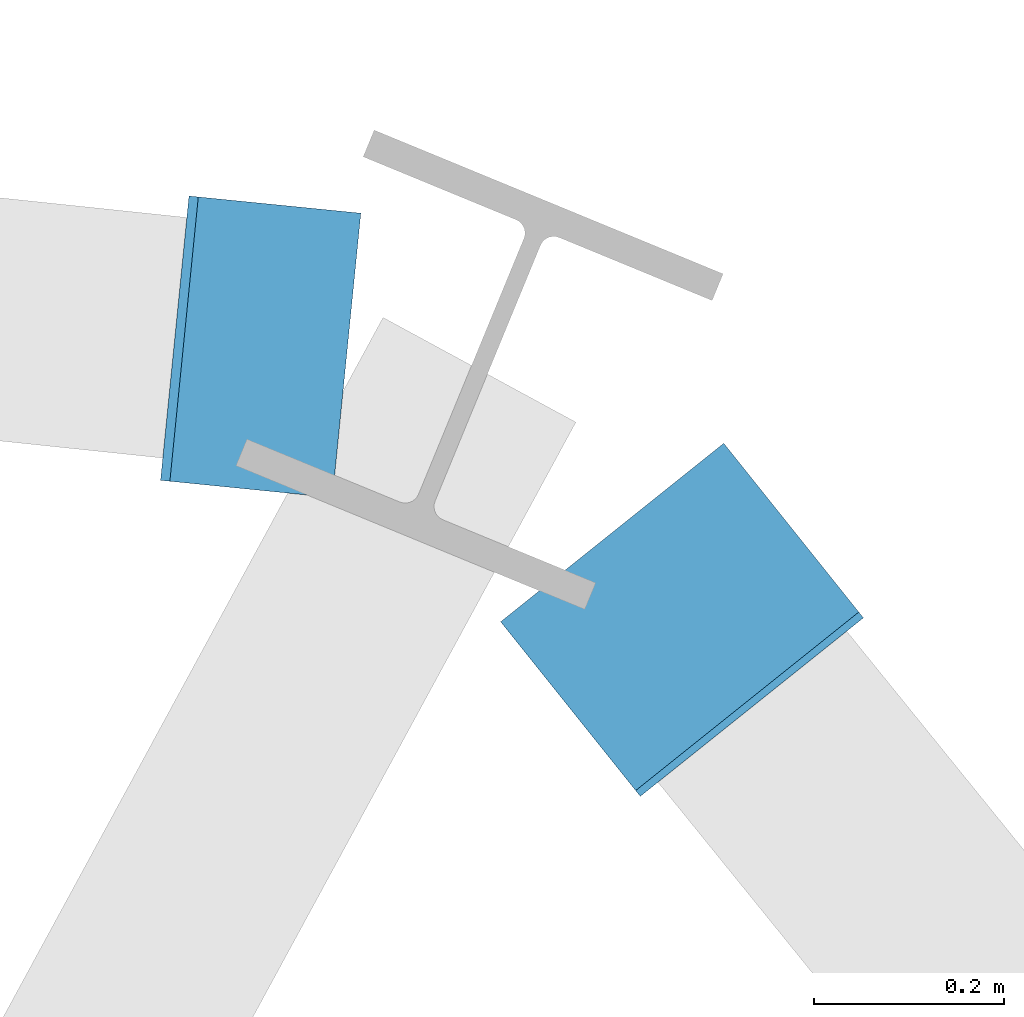
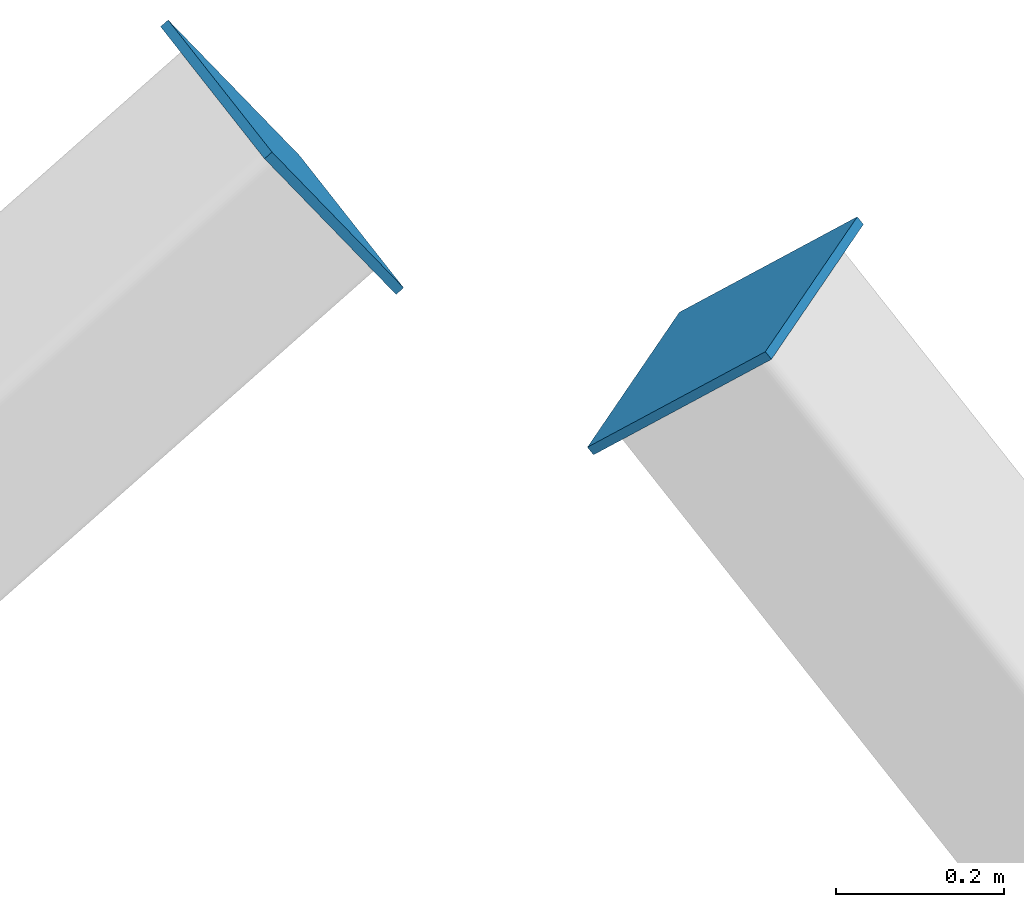
# One storey, part 14 of 15: 2 discrete accessories.
"""IFC4 building model written with IfcOpenShell, lengths in metres."""

from ifc_helpers import new_model, si_unit, direction, frame, origin, origin_2d, place, context, subcontext, project, spatial, rectangle, extrude, material, layer, layer_set, type_object, element, save


model = new_model("IFC4")

# Units and contexts
model_context = context("Model", 3, precision=1e-05, world=origin(), true_north=direction((0.0, 1.0)))
body_context = subcontext(model_context, "Body", "Model", "MODEL_VIEW")
ifc_project = project(units=[si_unit("LENGTHUNIT", "METRE"), si_unit("AREAUNIT", "SQUARE_METRE"), si_unit("VOLUMEUNIT", "CUBIC_METRE"), si_unit("PLANEANGLEUNIT", "RADIAN"), si_unit("MASSUNIT", "GRAM", prefix="KILO")], contexts=[model_context])

# Site, building, storey
site_placement = place(None, origin())
site = spatial("IfcSite", under=ifc_project, at=site_placement, CompositionType="ELEMENT")
building_placement = place(site_placement, origin())
building = spatial("IfcBuilding", under=site, at=building_placement, Name="Millrace Tower", CompositionType="ELEMENT")
storey_placement = place(building_placement, frame((0.0, 0.0, 352.10009765625)))
storey = spatial("IfcBuildingStorey", under=building, at=storey_placement, Name="L81", CompositionType="ELEMENT", Elevation=352.10009765625)

# Discrete accessories
ifc_material = material(Name="Steel ASTM A36", Category="steel")
ifc_layer = layer(ifc_material, 0.011962890625)
ifc_layer_set = layer_set([ifc_layer], Name="Steel ASTM A36")
discrete_accessory_type = type_object("IfcDiscreteAccessoryType", Name="Hollow section end plate 300", PredefinedType="BRACKET", material=ifc_layer_set)
for number, where, z_axis, x_axis, name in (
    (1, (22.175048828125, 26.68359375, 9.193603515625), (-0.408759559657, 0.510949449571, 0.756205185365), (-0.780868809443, -0.624695047554, 0.0), "Exoskeleton brace head end plate CROWN-L81-06"),
    (2, (21.725341796875, 26.973876953125, 9.4345703125), (0.816496580928, -0.081649658093, 0.571547606649), (0.099503719021, 0.99503719021, 0.0), "Exoskeleton brace head end plate CROWN-L81-07"),
):
    element("IfcDiscreteAccessory", number, at=place(storey_placement, frame(where, z_axis=z_axis, x_axis=x_axis)), inside=storey, type_object=discrete_accessory_type, Name=name, PredefinedType="BRACKET", context=body_context, shape_type="SweptSolid", body=[
        extrude(rectangle(XDim=0.300048828125, YDim=0.300048828125, at=origin_2d()), origin(), (0.0, 0.0, 1.0), 0.011962890625),
    ])

save(model, "model.ifc")
